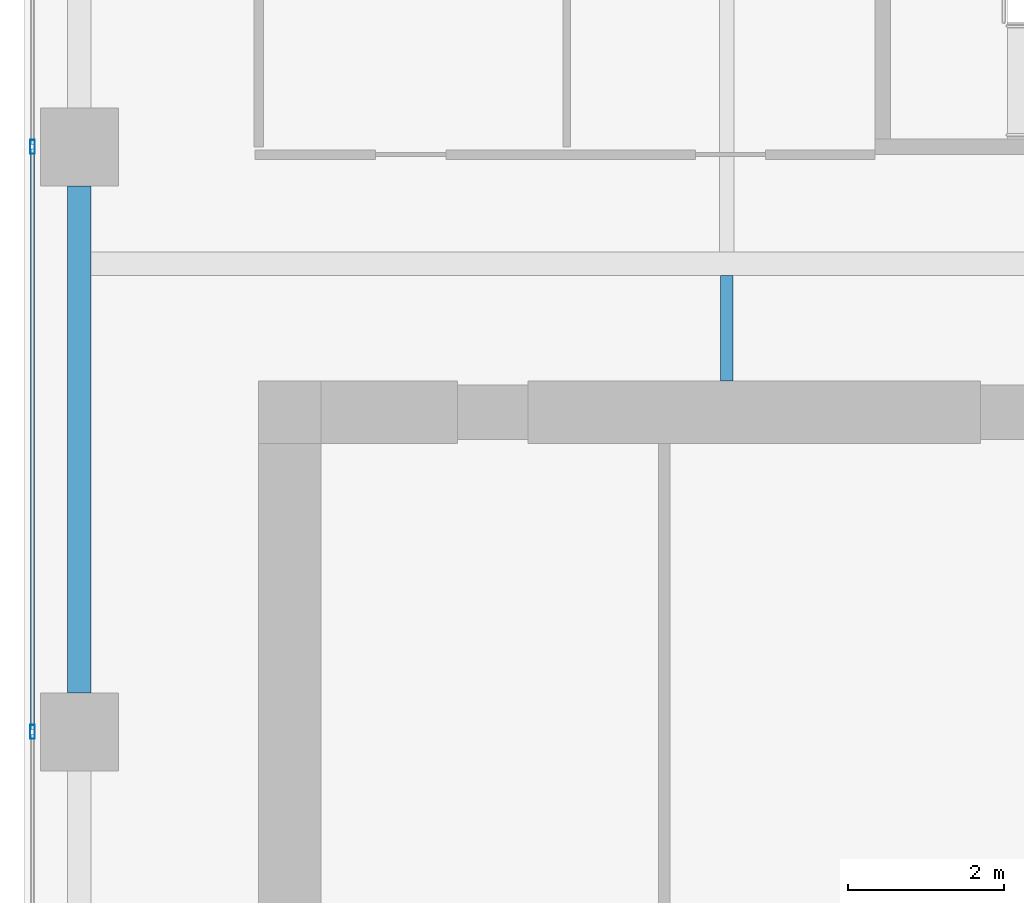
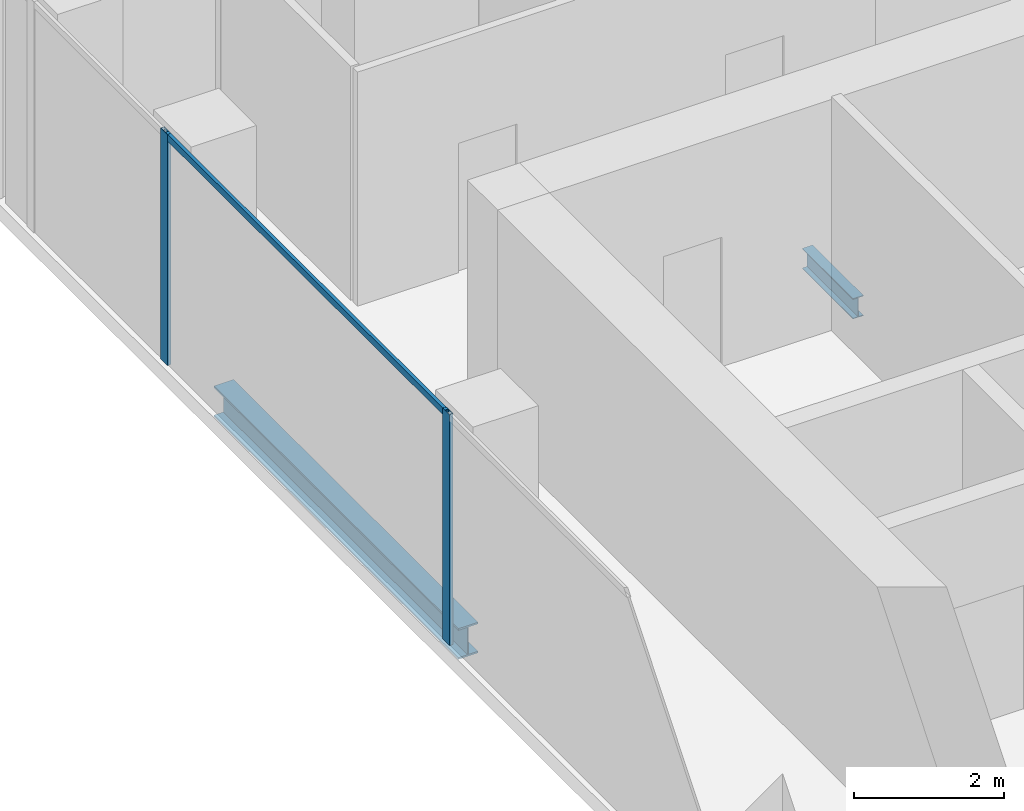
# One storey, part 17 of 40: 3 members, 2 beams, 1 element without a shape of its own.
"""IFC4 building model written with IfcOpenShell, lengths in metres."""

from ifc_helpers import new_model, si_unit, direction, frame, origin, origin_2d, place, context, subcontext, project, spatial, hollow_rectangle, i_section, extrude, source, transform, mapped, material, material_profile, profile_set, type_object, element, aggregate, save


model = new_model("IFC4")

# Units and contexts
model_context = context("Model", 3, precision=1e-05, world=origin(), true_north=direction((0.0, 1.0)))
body_context = subcontext(model_context, "Body", "Model", "MODEL_VIEW")
ifc_project = project(units=[si_unit("LENGTHUNIT", "METRE"), si_unit("AREAUNIT", "SQUARE_METRE"), si_unit("VOLUMEUNIT", "CUBIC_METRE"), si_unit("PLANEANGLEUNIT", "RADIAN"), si_unit("MASSUNIT", "GRAM", prefix="KILO")], contexts=[model_context])

# Site, building, storey
site_placement = place(None, origin())
site = spatial("IfcSite", under=ifc_project, at=site_placement, CompositionType="ELEMENT")
building_placement = place(site_placement, origin())
building = spatial("IfcBuilding", under=site, at=building_placement, Name="Khomas Fold Tower", CompositionType="ELEMENT")
storey_placement = place(building_placement, frame((0.0, 0.0, 192.699951171875)))
storey = spatial("IfcBuildingStorey", under=building, at=storey_placement, Name="L42", CompositionType="ELEMENT", Elevation=192.699951171875)

# Beams
ifc_material_1 = material(Name="Steel S355", Category="steel")
ifc_material_profile_1 = material_profile(ifc_material_1, i_section(OverallWidth=0.300048828125, OverallDepth=0.5, WebThickness=0.014404296875, FlangeThickness=0.028076171875, at=origin_2d()), Name="HE 500 B")
ifc_profile_set_1 = profile_set([ifc_material_profile_1], Name="Steel S355")
beam_type_1 = type_object("IfcBeamType", Name="HE 500 B spandrel SB3", PredefinedType="SPANDREL", material=ifc_profile_set_1)
shared_shape_1 = source(origin(), body_context, "Body", "SweptSolid", [
    extrude(i_section(OverallWidth=0.300048828125, OverallDepth=0.5, WebThickness=0.014404296875, FlangeThickness=0.028076171875, at=origin_2d()), origin(), (0.0, 0.0, 1.0), 6.5),
])
beam_1_placement = place(storey_placement, frame((3.699951171875, 35.0, -0.5), z_axis=(0.0, 1.0, 0.0), x_axis=(-1.0, 0.0, 0.0)))
element("IfcBeam", 1, at=beam_1_placement, inside=storey, type_object=beam_type_1, Name="SB3", PredefinedType="SPANDREL", context=body_context, shape_type="MappedRepresentation", body=[
    mapped(shared_shape_1, transform((0.0, 0.0, 0.0))),
])
ifc_material_2 = material(Name="Steel S355", Category="steel")
ifc_material_profile_2 = material_profile(ifc_material_2, i_section(OverallWidth=0.159912109375, OverallDepth=0.330078125, WebThickness=0.007568359375, FlangeThickness=0.011474609375, at=origin_2d()), Name="IPE 330")
ifc_profile_set_2 = profile_set([ifc_material_profile_2], Name="Steel S355")
beam_type_2 = type_object("IfcBeamType", Name="IPE 330 beam JB1", PredefinedType="BEAM", material=ifc_profile_set_2)
shared_shape_2 = source(origin(), body_context, "Body", "SweptSolid", [
    extrude(i_section(OverallWidth=0.159912109375, OverallDepth=0.330078125, WebThickness=0.007568359375, FlangeThickness=0.011474609375, at=origin_2d()), origin(), (0.0, 0.0, 1.0), 1.35009765625),
])
beam_2_placement = place(storey_placement, frame((12.0, 39.0, -0.4150390625), z_axis=(0.0, 1.0, 0.0), x_axis=(-1.0, 0.0, 0.0)))
element("IfcBeam", 2, at=beam_2_placement, inside=storey, type_object=beam_type_2, Name="JB1", PredefinedType="BEAM", context=body_context, shape_type="MappedRepresentation", body=[
    mapped(shared_shape_2, transform((0.0, 0.0, 0.0))),
])

# Curtain wall, members
ifc_material_3 = material(Name="Aluminium framed double glazing", Category="aluminium")
curtain_wall_type = type_object("IfcCurtainWallType", Name="SK-Unitised clear-glass wall, office floors CW2", PredefinedType="NOTDEFINED", material=ifc_material_3)
curtain_wall_placement = place(storey_placement, origin())
curtain_wall = element("IfcCurtainWall", 3, at=curtain_wall_placement, inside=storey, type_object=curtain_wall_type, Name="CW2 run L42 09-0", PredefinedType="NOTDEFINED")
ifc_material_4 = material(Name="Aluminium", Category="aluminium")
ifc_material_profile_3 = material_profile(ifc_material_4, hollow_rectangle(XDim=0.06005859375, YDim=0.179931640625, WallThickness=0.00390625, at=origin_2d()), Name="SK-Unitised clear-glass wall, office floors mullion CW2-M")
ifc_profile_set_3 = profile_set([ifc_material_profile_3], Name="Aluminium")
member_type_1 = type_object("IfcMemberType", Name="SK-Unitised clear-glass wall, office floors mullion CW2-M", PredefinedType="MULLION", material=ifc_profile_set_3)
shared_shape_3 = source(origin(), body_context, "Body", "SweptSolid", [
    extrude(hollow_rectangle(XDim=0.06005859375, YDim=0.179931640625, WallThickness=0.00390625, at=origin_2d()), origin(), (0.0, 0.0, 1.0), 3.75),
])
member_1_placement = place(storey_placement, frame((3.10009765625, 42.0, 0.0), z_axis=(0.0, 0.0, 1.0), x_axis=(1.0, 0.0, 0.0)))
member_1 = element("IfcMember", 4, at=member_1_placement, type_object=member_type_1, Name="CW2 mullion 3", PredefinedType="MULLION", context=body_context, shape_type="MappedRepresentation", body=[
    mapped(shared_shape_3, transform((0.0, 0.0, 0.0))),
])
member_2_placement = place(storey_placement, frame((3.10009765625, 34.5, 0.0), z_axis=(0.0, 0.0, 1.0), x_axis=(1.0, 0.0, 0.0)))
member_2 = element("IfcMember", 5, at=member_2_placement, type_object=member_type_1, Name="CW2 mullion 4", PredefinedType="MULLION", context=body_context, shape_type="MappedRepresentation", body=[
    mapped(shared_shape_3, transform((0.0, 0.0, 0.0))),
])
ifc_material_5 = material(Name="Aluminium", Category="aluminium")
ifc_material_profile_4 = material_profile(ifc_material_5, hollow_rectangle(XDim=0.050048828125, YDim=0.110107421875, WallThickness=0.00390625, at=origin_2d()), Name="SK-Unitised clear-glass wall, office floors transom CW2-T")
ifc_profile_set_4 = profile_set([ifc_material_profile_4], Name="Aluminium")
member_type_2 = type_object("IfcMemberType", Name="SK-Unitised clear-glass wall, office floors transom CW2-T", PredefinedType="USERDEFINED", material=ifc_profile_set_4)
shared_shape_4 = source(origin(), body_context, "Body", "SweptSolid", [
    extrude(hollow_rectangle(XDim=0.050048828125, YDim=0.110107421875, WallThickness=0.00390625, at=origin_2d()), origin(), (0.0, 0.0, 1.0), 7.43994140625),
])
member_3_placement = place(storey_placement, frame((3.10009765625, 41.969970703125, 3.695068359375), z_axis=(0.0, -1.0, 0.0), x_axis=(1.0, 0.0, 0.0)))
member_3 = element("IfcMember", 6, at=member_3_placement, type_object=member_type_2, Name="CW2 transom 3", ObjectType="TRANSOM", PredefinedType="USERDEFINED", context=body_context, shape_type="MappedRepresentation", body=[
    mapped(shared_shape_4, transform((0.0, 0.0, 0.0))),
])
aggregate(curtain_wall, [member_1, member_2, member_3])

save(model, "model.ifc")
